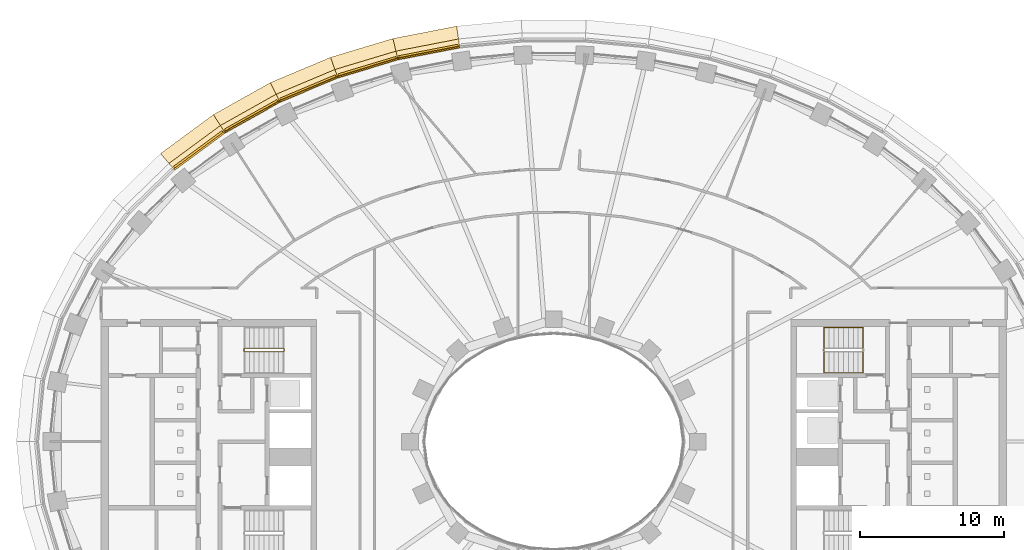
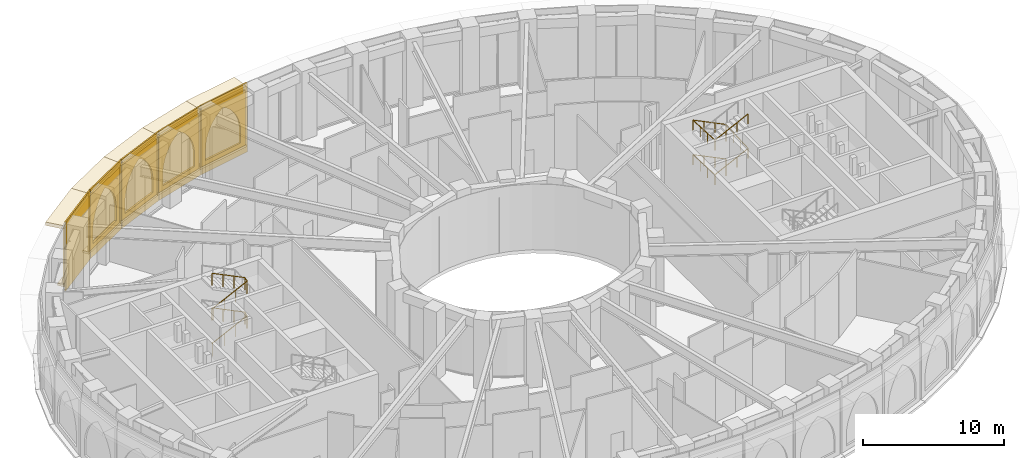
# One storey, part 20 of 23: 20 coverings, 2 railings.
"""IFC4 building model written with IfcOpenShell, lengths in metres."""

from ifc_helpers import new_model, si_unit, direction, frame, origin, origin_2d, place, context, subcontext, project, spatial, polyline, rectangle, outline, extrude, material, layer, layer_set, type_object, element, save


model = new_model("IFC4")

# Units and contexts
model_context = context("Model", 3, precision=1e-05, world=origin(), true_north=direction((0.0, 1.0)))
body_context = subcontext(model_context, "Body", "Model", "MODEL_VIEW")
ifc_project = project(units=[si_unit("LENGTHUNIT", "METRE"), si_unit("AREAUNIT", "SQUARE_METRE"), si_unit("VOLUMEUNIT", "CUBIC_METRE"), si_unit("PLANEANGLEUNIT", "RADIAN"), si_unit("MASSUNIT", "GRAM", prefix="KILO")], contexts=[model_context])

# Site, building, storey
site_placement = place(None, origin())
site = spatial("IfcSite", under=ifc_project, at=site_placement, CompositionType="ELEMENT")
building_placement = place(site_placement, origin())
building = spatial("IfcBuilding", under=site, at=building_placement, Name="Noorbagh Ring Tower", CompositionType="ELEMENT")
storey_placement = place(building_placement, frame((0.0, 0.0, 140.0)))
storey = spatial("IfcBuildingStorey", under=building, at=storey_placement, Name="L32", CompositionType="ELEMENT", Elevation=140.0)

# Railings
ifc_material_1 = material(Name="Stainless steel", Category="steel")
railing_type_1 = type_object("IfcRailingType", Name="CORE-STAIR-GUARD", PredefinedType="GUARDRAIL", material=ifc_material_1)
railing_1_placement = place(storey_placement, frame((-21.580078125, 6.300048828125, 0.0)))
element("IfcRailing", 1, at=railing_1_placement, inside=storey, type_object=railing_type_1, Name="L32 ST1 stair guard", PredefinedType="GUARDRAIL", context=body_context, shape_type="SweptSolid", body=[
    extrude(rectangle(XDim=0.048095703125, YDim=0.048095703125, at=origin_2d()), frame((0.0, 0.0, 1.076171875), z_axis=(0.0, 1.0, 0.0), x_axis=(-1.0, 0.0, 0.0)), (0.0, 0.0, 1.0), 0.14990234375),
    extrude(rectangle(XDim=0.048095703125, YDim=0.048095703125, at=origin_2d()), frame((0.0, 0.14990234375, 1.076171875), z_axis=(0.188775798145, -0.754182335027, 0.628945707965), x_axis=(0.970072785993, 0.242814311512, 0.0)), (0.0, 0.0, 1.0), 0.26513671875),
    extrude(rectangle(XDim=0.048095703125, YDim=0.048095703125, at=origin_2d()), frame((0.050048828125, -0.050048828125, 1.24267578125), z_axis=(0.897929466783, 0.0, 0.4401393787), x_axis=(0.0, 1.0, 0.0)), (0.0, 0.0, 1.0), 3.029052734375),
    extrude(rectangle(XDim=0.048095703125, YDim=0.048095703125, at=origin_2d()), frame((2.77001953125, -0.050048828125, 2.576171875), z_axis=(0.707106781187, 0.707106781187, 0.0), x_axis=(-0.707106781187, 0.707106781187, 0.0)), (0.0, 0.0, 1.0), 0.07080078125),
    extrude(rectangle(XDim=0.048095703125, YDim=0.048095703125, at=origin_2d()), frame((2.820068359375, 0.0, 2.576171875), z_axis=(0.0, 1.0, 0.0), x_axis=(-1.0, 0.0, 0.0)), (0.0, 0.0, 1.0), 0.14990234375),
    extrude(rectangle(XDim=0.048095703125, YDim=0.048095703125, at=origin_2d()), frame((2.820068359375, 0.14990234375, 2.576171875), z_axis=(-0.27628659633, 0.27628659633, 0.920506074601), x_axis=(-0.707106781187, -0.707106781187, 0.0)), (0.0, 0.0, 1.0), 0.18115234375),
    extrude(rectangle(XDim=0.048095703125, YDim=0.048095703125, at=origin_2d()), frame((2.77001953125, 0.199951171875, 2.74267578125), z_axis=(-0.897929466783, 0.0, 0.4401393787), x_axis=(0.0, -1.0, 0.0)), (0.0, 0.0, 1.0), 3.029052734375),
    extrude(rectangle(XDim=0.048095703125, YDim=0.048095703125, at=origin_2d()), frame((0.050048828125, 0.199951171875, 4.076171875), z_axis=(-0.242814311512, -0.970072785993, 0.0), x_axis=(0.970072785993, -0.242814311512, 0.0)), (0.0, 0.0, 1.0), 0.2060546875),
    extrude(rectangle(XDim=0.048095703125, YDim=0.048095703125, at=origin_2d()), frame((0.0, 0.0, 4.076171875), z_axis=(0.0, 1.0, 0.0), x_axis=(-1.0, 0.0, 0.0)), (0.0, 0.0, 1.0), 0.14990234375),
    extrude(rectangle(XDim=0.048095703125, YDim=0.048095703125, at=origin_2d()), frame((0.0, 0.14990234375, 4.076171875), z_axis=(0.188775798145, -0.754182335027, 0.628945707965), x_axis=(0.970072785993, 0.242814311512, 0.0)), (0.0, 0.0, 1.0), 0.26513671875),
    extrude(rectangle(XDim=0.048095703125, YDim=0.048095703125, at=origin_2d()), frame((0.050048828125, -0.050048828125, 4.24267578125), z_axis=(0.897929466783, 0.0, 0.4401393787), x_axis=(0.0, 1.0, 0.0)), (0.0, 0.0, 1.0), 3.029052734375),
    extrude(rectangle(XDim=0.048095703125, YDim=0.048095703125, at=origin_2d()), frame((2.77001953125, -0.050048828125, 5.576171875), z_axis=(0.707106781187, 0.707106781187, 0.0), x_axis=(-0.707106781187, 0.707106781187, 0.0)), (0.0, 0.0, 1.0), 0.07080078125),
    extrude(rectangle(XDim=0.048095703125, YDim=0.048095703125, at=origin_2d()), frame((2.820068359375, 0.0, 5.576171875), z_axis=(0.0, 1.0, 0.0), x_axis=(-1.0, 0.0, 0.0)), (0.0, 0.0, 1.0), 0.14990234375),
    extrude(rectangle(XDim=0.048095703125, YDim=0.048095703125, at=origin_2d()), frame((2.820068359375, 0.14990234375, 5.576171875), z_axis=(-0.27628659633, 0.27628659633, 0.920506074601), x_axis=(-0.707106781187, -0.707106781187, 0.0)), (0.0, 0.0, 1.0), 0.18115234375),
    extrude(rectangle(XDim=0.048095703125, YDim=0.048095703125, at=origin_2d()), frame((2.77001953125, 0.199951171875, 5.74267578125), z_axis=(-0.897929466783, 0.0, 0.4401393787), x_axis=(0.0, -1.0, 0.0)), (0.0, 0.0, 1.0), 3.029052734375),
    extrude(rectangle(XDim=0.0419921875, YDim=0.0419921875, at=origin_2d()), origin(), (0.0, 0.0, 1.0), 1.052001953125),
    extrude(rectangle(XDim=0.0419921875, YDim=0.0419921875, at=origin_2d()), frame((0.956787109375, -0.050048828125, 0.611083984375)), (0.0, 0.0, 1.0), 1.052001953125),
    extrude(rectangle(XDim=0.0419921875, YDim=0.0419921875, at=origin_2d()), frame((1.86328125, -0.050048828125, 1.0556640625)), (0.0, 0.0, 1.0), 1.052001953125),
    extrude(rectangle(XDim=0.0419921875, YDim=0.0419921875, at=origin_2d()), frame((2.77001953125, -0.050048828125, 1.5)), (0.0, 0.0, 1.0), 1.052001953125),
    extrude(rectangle(XDim=0.0419921875, YDim=0.0419921875, at=origin_2d()), frame((2.77001953125, 0.199951171875, 1.666748046875)), (0.0, 0.0, 1.0), 1.052001953125),
    extrude(rectangle(XDim=0.0419921875, YDim=0.0419921875, at=origin_2d()), frame((1.86328125, 0.199951171875, 2.111083984375)), (0.0, 0.0, 1.0), 1.052001953125),
    extrude(rectangle(XDim=0.0419921875, YDim=0.0419921875, at=origin_2d()), frame((0.956787109375, 0.199951171875, 2.5556640625)), (0.0, 0.0, 1.0), 1.052001953125),
    extrude(rectangle(XDim=0.0419921875, YDim=0.0419921875, at=origin_2d()), frame((0.050048828125, 0.199951171875, 3.0)), (0.0, 0.0, 1.0), 1.052001953125),
    extrude(rectangle(XDim=0.0419921875, YDim=0.0419921875, at=origin_2d()), frame((0.050048828125, -0.050048828125, 3.166748046875)), (0.0, 0.0, 1.0), 1.052001953125),
    extrude(rectangle(XDim=0.0419921875, YDim=0.0419921875, at=origin_2d()), frame((0.956787109375, -0.050048828125, 3.611083984375)), (0.0, 0.0, 1.0), 1.052001953125),
    extrude(rectangle(XDim=0.0419921875, YDim=0.0419921875, at=origin_2d()), frame((1.86328125, -0.050048828125, 4.0556640625)), (0.0, 0.0, 1.0), 1.052001953125),
    extrude(rectangle(XDim=0.0419921875, YDim=0.0419921875, at=origin_2d()), frame((2.77001953125, -0.050048828125, 4.5)), (0.0, 0.0, 1.0), 1.052001953125),
    extrude(rectangle(XDim=0.0419921875, YDim=0.0419921875, at=origin_2d()), frame((2.77001953125, 0.199951171875, 4.666748046875)), (0.0, 0.0, 1.0), 1.052001953125),
    extrude(rectangle(XDim=0.0419921875, YDim=0.0419921875, at=origin_2d()), frame((1.86328125, 0.199951171875, 5.111083984375)), (0.0, 0.0, 1.0), 1.052001953125),
    extrude(rectangle(XDim=0.0419921875, YDim=0.0419921875, at=origin_2d()), frame((0.956787109375, 0.199951171875, 5.5556640625)), (0.0, 0.0, 1.0), 1.052001953125),
    extrude(rectangle(XDim=0.0419921875, YDim=0.0419921875, at=origin_2d()), frame((0.050048828125, 0.199951171875, 6.0)), (0.0, 0.0, 1.0), 1.052001953125),
])
ifc_material_2 = material(Name="Stainless steel", Category="steel")
railing_type_2 = type_object("IfcRailingType", Name="CORE-STAIR-HANDRAIL", PredefinedType="HANDRAIL", material=ifc_material_2)
railing_2_placement = place(storey_placement, frame((21.530029296875, 7.949951171875, 0.166748046875)))
element("IfcRailing", 2, at=railing_2_placement, inside=storey, type_object=railing_type_2, Name="L32 ST3 stair handrail", PredefinedType="HANDRAIL", context=body_context, shape_type="SweptSolid", body=[
    extrude(rectangle(XDim=0.048095703125, YDim=0.048095703125, at=origin_2d()), frame((0.0, 0.0, 0.8759765625), z_axis=(-0.897929466783, 0.0, 0.4401393787), x_axis=(0.0, -1.0, 0.0)), (0.0, 0.0, 1.0), 3.029052734375),
    extrude(rectangle(XDim=0.048095703125, YDim=0.048095703125, at=origin_2d()), frame((-2.719970703125, 0.0, 2.208984375), z_axis=(0.0, -0.998601747152, 0.052863509014), x_axis=(1.0, 0.0, 0.0)), (0.0, 0.0, 1.0), 3.154296875),
    extrude(rectangle(XDim=0.048095703125, YDim=0.048095703125, at=origin_2d()), frame((-2.719970703125, -3.14990234375, 2.3759765625), z_axis=(0.897929466783, 0.0, 0.4401393787), x_axis=(0.0, 1.0, 0.0)), (0.0, 0.0, 1.0), 3.029052734375),
    extrude(rectangle(XDim=0.048095703125, YDim=0.048095703125, at=origin_2d()), frame((0.0, -3.14990234375, 3.708984375), z_axis=(0.0, 0.998601747152, 0.052863509014), x_axis=(-1.0, 0.0, 0.0)), (0.0, 0.0, 1.0), 3.154296875),
    extrude(rectangle(XDim=0.048095703125, YDim=0.048095703125, at=origin_2d()), frame((0.0, 0.0, 3.8759765625), z_axis=(-0.897929466783, 0.0, 0.4401393787), x_axis=(0.0, -1.0, 0.0)), (0.0, 0.0, 1.0), 3.029052734375),
    extrude(rectangle(XDim=0.048095703125, YDim=0.048095703125, at=origin_2d()), frame((-2.719970703125, 0.0, 5.208984375), z_axis=(0.0, -0.998601747152, 0.052863509014), x_axis=(1.0, 0.0, 0.0)), (0.0, 0.0, 1.0), 3.154296875),
    extrude(rectangle(XDim=0.048095703125, YDim=0.048095703125, at=origin_2d()), frame((-2.719970703125, -3.14990234375, 5.3759765625), z_axis=(0.897929466783, 0.0, 0.4401393787), x_axis=(0.0, 1.0, 0.0)), (0.0, 0.0, 1.0), 3.029052734375),
    extrude(rectangle(XDim=0.0419921875, YDim=0.0419921875, at=origin_2d()), origin(), (0.0, 0.0, 1.0), 0.851806640625),
    extrude(rectangle(XDim=0.0419921875, YDim=0.0419921875, at=origin_2d()), frame((-0.90673828125, 0.0, 0.4443359375)), (0.0, 0.0, 1.0), 0.851806640625),
    extrude(rectangle(XDim=0.0419921875, YDim=0.0419921875, at=origin_2d()), frame((-1.813232421875, 0.0, 0.888916015625)), (0.0, 0.0, 1.0), 0.851806640625),
    extrude(rectangle(XDim=0.0419921875, YDim=0.0419921875, at=origin_2d()), frame((-2.719970703125, 0.0, 1.333251953125)), (0.0, 0.0, 1.0), 0.851806640625),
    extrude(rectangle(XDim=0.0419921875, YDim=0.0419921875, at=origin_2d()), frame((-2.719970703125, -1.050048828125, 1.388916015625)), (0.0, 0.0, 1.0), 0.851806640625),
    extrude(rectangle(XDim=0.0419921875, YDim=0.0419921875, at=origin_2d()), frame((-2.719970703125, -2.099853515625, 1.4443359375)), (0.0, 0.0, 1.0), 0.851806640625),
    extrude(rectangle(XDim=0.0419921875, YDim=0.0419921875, at=origin_2d()), frame((-2.719970703125, -3.14990234375, 1.5)), (0.0, 0.0, 1.0), 0.851806640625),
    extrude(rectangle(XDim=0.0419921875, YDim=0.0419921875, at=origin_2d()), frame((-1.813232421875, -3.14990234375, 1.9443359375)), (0.0, 0.0, 1.0), 0.851806640625),
    extrude(rectangle(XDim=0.0419921875, YDim=0.0419921875, at=origin_2d()), frame((-0.90673828125, -3.14990234375, 2.388916015625)), (0.0, 0.0, 1.0), 0.851806640625),
    extrude(rectangle(XDim=0.0419921875, YDim=0.0419921875, at=origin_2d()), frame((0.0, -3.14990234375, 2.833251953125)), (0.0, 0.0, 1.0), 0.851806640625),
    extrude(rectangle(XDim=0.0419921875, YDim=0.0419921875, at=origin_2d()), frame((0.0, -2.099853515625, 2.888916015625)), (0.0, 0.0, 1.0), 0.851806640625),
    extrude(rectangle(XDim=0.0419921875, YDim=0.0419921875, at=origin_2d()), frame((0.0, -1.050048828125, 2.9443359375)), (0.0, 0.0, 1.0), 0.851806640625),
    extrude(rectangle(XDim=0.0419921875, YDim=0.0419921875, at=origin_2d()), frame((0.0, 0.0, 3.0)), (0.0, 0.0, 1.0), 0.851806640625),
    extrude(rectangle(XDim=0.0419921875, YDim=0.0419921875, at=origin_2d()), frame((-0.90673828125, 0.0, 3.4443359375)), (0.0, 0.0, 1.0), 0.851806640625),
    extrude(rectangle(XDim=0.0419921875, YDim=0.0419921875, at=origin_2d()), frame((-1.813232421875, 0.0, 3.888916015625)), (0.0, 0.0, 1.0), 0.851806640625),
    extrude(rectangle(XDim=0.0419921875, YDim=0.0419921875, at=origin_2d()), frame((-2.719970703125, 0.0, 4.333251953125)), (0.0, 0.0, 1.0), 0.851806640625),
    extrude(rectangle(XDim=0.0419921875, YDim=0.0419921875, at=origin_2d()), frame((-2.719970703125, -1.050048828125, 4.388916015625)), (0.0, 0.0, 1.0), 0.851806640625),
    extrude(rectangle(XDim=0.0419921875, YDim=0.0419921875, at=origin_2d()), frame((-2.719970703125, -2.099853515625, 4.4443359375)), (0.0, 0.0, 1.0), 0.851806640625),
    extrude(rectangle(XDim=0.0419921875, YDim=0.0419921875, at=origin_2d()), frame((-2.719970703125, -3.14990234375, 4.5)), (0.0, 0.0, 1.0), 0.851806640625),
    extrude(rectangle(XDim=0.0419921875, YDim=0.0419921875, at=origin_2d()), frame((-1.813232421875, -3.14990234375, 4.9443359375)), (0.0, 0.0, 1.0), 0.851806640625),
    extrude(rectangle(XDim=0.0419921875, YDim=0.0419921875, at=origin_2d()), frame((-0.90673828125, -3.14990234375, 5.388916015625)), (0.0, 0.0, 1.0), 0.851806640625),
    extrude(rectangle(XDim=0.0419921875, YDim=0.0419921875, at=origin_2d()), frame((0.0, -3.14990234375, 5.833251953125)), (0.0, 0.0, 1.0), 0.851806640625),
])

# Coverings
ifc_material_3 = material(Name="Aluminium 6063-T6 black anodised", Category="aluminium")
ifc_layer_1 = layer(ifc_material_3, 0.1201171875)
ifc_layer_set_1 = layer_set([ifc_layer_1], Name="Aluminium 6063-T6 black anodised")
covering_type_1 = type_object("IfcCoveringType", Name="ENV-LOUVRE-BAND", PredefinedType="CLADDING", material=ifc_layer_set_1)
covering_1_placement = place(storey_placement, frame((-8.700927734375, 27.053955078125, -0.300048828125), z_axis=(0.0, 0.0, 1.0), x_axis=(-0.981624952922, -0.190820470077, 0.0)))
element("IfcCovering", 3, at=covering_1_placement, inside=storey, type_object=covering_type_1, Name="Louvre screen chord 14", ObjectType="LOUVRE", PredefinedType="CLADDING", context=body_context, shape_type="SweptSolid", body=[
    extrude(rectangle(XDim=4.349853515625, YDim=0.1201171875, at=origin_2d()), origin(), (0.0, 0.0, 1.0), 6.0),
])
covering_2_placement = place(storey_placement, frame((-12.947998046875, 26.0048828125, -0.300048828125), z_axis=(0.0, 0.0, 1.0), x_axis=(-0.957577925467, -0.28817445525, 0.0)))
element("IfcCovering", 4, at=covering_2_placement, inside=storey, type_object=covering_type_1, Name="Louvre screen chord 15", ObjectType="LOUVRE", PredefinedType="CLADDING", context=body_context, shape_type="SweptSolid", body=[
    extrude(rectangle(XDim=4.349609375, YDim=0.1201171875, at=origin_2d()), origin(), (0.0, 0.0, 1.0), 6.0),
])
covering_3_placement = place(storey_placement, frame((-17.0634765625, 24.52490234375, -0.300048828125), z_axis=(0.0, 0.0, 1.0), x_axis=(-0.921811566494, -0.387638279686, 0.0)))
element("IfcCovering", 5, at=covering_3_placement, inside=storey, type_object=covering_type_1, Name="Louvre screen chord 16", ObjectType="LOUVRE", PredefinedType="CLADDING", context=body_context, shape_type="SweptSolid", body=[
    extrude(rectangle(XDim=4.349365234375, YDim=0.1201171875, at=origin_2d()), origin(), (0.0, 0.0, 1.0), 6.0),
])
covering_4_placement = place(storey_placement, frame((-20.990966796875, 22.604736328125, -0.300048828125), z_axis=(0.0, 0.0, 1.0), x_axis=(-0.872044586249, -0.48942643941, 0.0)))
element("IfcCovering", 6, at=covering_4_placement, inside=storey, type_object=covering_type_1, Name="Louvre screen chord 17", ObjectType="LOUVRE", PredefinedType="CLADDING", context=body_context, shape_type="SweptSolid", body=[
    extrude(rectangle(XDim=4.34912109375, YDim=0.1201171875, at=origin_2d()), origin(), (0.0, 0.0, 1.0), 6.0),
])
covering_5_placement = place(storey_placement, frame((-24.662109375, 20.2353515625, -0.300048828125), z_axis=(0.0, 0.0, 1.0), x_axis=(-0.805153045326, -0.593067090304, 0.0)))
element("IfcCovering", 7, at=covering_5_placement, inside=storey, type_object=covering_type_1, Name="Louvre screen chord 18", ObjectType="LOUVRE", PredefinedType="CLADDING", context=body_context, shape_type="SweptSolid", body=[
    extrude(rectangle(XDim=4.3486328125, YDim=0.1201171875, at=origin_2d()), origin(), (0.0, 0.0, 1.0), 6.0),
])
ifc_material_4 = material(Name="Red sandstone cladding", Category="masonry")
ifc_layer_2 = layer(ifc_material_4, 0.14990234375)
ifc_layer_set_2 = layer_set([ifc_layer_2], Name="Red sandstone cladding")
covering_type_2 = type_object("IfcCoveringType", Name="STYLE-BAND-ARCADE", PredefinedType="USERDEFINED", material=ifc_layer_set_2)
covering_6_placement = place(storey_placement, frame((-6.6865234375, 27.659423828125, 0.25), z_axis=(-0.190819708322, 0.981625101001, 0.0), x_axis=(-0.981625101001, -0.190819708322, 0.0)))
element("IfcCovering", 8, at=covering_6_placement, inside=storey, type_object=covering_type_2, Name="Blind arch bay of the band", ObjectType="ARCH", PredefinedType="USERDEFINED", context=body_context, shape_type="SweptSolid", body=[
    extrude(outline(polyline([(0.0, 0.0), (4.186279296875, 0.0), (4.186279296875, 4.800048828125), (0.0, 4.800048828125), (0.0, 0.0)]), holes=[polyline([(0.449951171875, 0.39990234375), (0.449951171875, 1.404052734375), (0.47802734375, 1.8330078125), (0.56201171875, 2.254638671875), (0.7001953125, 2.66162109375), (0.890380859375, 3.047119140625), (1.129150390625, 3.40478515625), (1.41259765625, 3.727783203125), (1.735595703125, 4.01123046875), (2.093017578125, 4.25), (2.450439453125, 4.01123046875), (2.773681640625, 3.727783203125), (3.05712890625, 3.40478515625), (3.2958984375, 3.047119140625), (3.486083984375, 2.66162109375), (3.624267578125, 2.254638671875), (3.7080078125, 1.8330078125), (3.736083984375, 1.404052734375), (3.736083984375, 0.39990234375), (0.449951171875, 0.39990234375)])]), origin(), (0.0, 0.0, -1.0), 0.14990234375),
])
covering_7_placement = place(storey_placement, frame((-11.00439453125, 26.80908203125, 0.25), z_axis=(-0.288182515773, 0.957575499688, 0.0), x_axis=(-0.957575499688, -0.288182515773, 0.0)))
element("IfcCovering", 9, at=covering_7_placement, inside=storey, type_object=covering_type_2, Name="Blind arch bay of the band", ObjectType="ARCH", PredefinedType="USERDEFINED", context=body_context, shape_type="SweptSolid", body=[
    extrude(outline(polyline([(0.0, 0.0), (4.185791015625, 0.0), (4.185791015625, 4.800048828125), (0.0, 4.800048828125), (0.0, 0.0)]), holes=[polyline([(0.449951171875, 0.39990234375), (0.449951171875, 1.404296875), (0.47802734375, 1.833251953125), (0.56201171875, 2.2548828125), (0.7001953125, 2.661865234375), (0.890380859375, 3.04736328125), (1.129150390625, 3.40478515625), (1.41259765625, 3.727783203125), (1.735595703125, 4.01123046875), (2.093017578125, 4.25), (2.450439453125, 4.01123046875), (2.773681640625, 3.727783203125), (3.056884765625, 3.40478515625), (3.2958984375, 3.04736328125), (3.48583984375, 2.661865234375), (3.6240234375, 2.2548828125), (3.7080078125, 1.833251953125), (3.736083984375, 1.404296875), (3.736083984375, 0.39990234375), (0.449951171875, 0.39990234375)])]), origin(), (0.0, 0.0, -1.0), 0.14990234375),
])
covering_8_placement = place(storey_placement, frame((-15.215576171875, 25.52978515625, 0.25), z_axis=(-0.387624121421, 0.92181752017, 0.0), x_axis=(-0.92181752017, -0.387624121421, 0.0)))
element("IfcCovering", 10, at=covering_8_placement, inside=storey, type_object=covering_type_2, Name="Blind arch bay of the band", ObjectType="ARCH", PredefinedType="USERDEFINED", context=body_context, shape_type="SweptSolid", body=[
    extrude(outline(polyline([(0.0, 0.0), (4.185791015625, 0.0), (4.185791015625, 4.800048828125), (0.0, 4.800048828125), (0.0, 0.0)]), holes=[polyline([(0.449951171875, 0.39990234375), (0.449951171875, 1.404541015625), (0.47802734375, 1.83349609375), (0.56201171875, 2.2548828125), (0.7001953125, 2.661865234375), (0.89013671875, 3.04736328125), (1.12890625, 3.40478515625), (1.412353515625, 3.727783203125), (1.735595703125, 4.01123046875), (2.093017578125, 4.25), (2.4501953125, 4.01123046875), (2.7734375, 3.727783203125), (3.056884765625, 3.40478515625), (3.295654296875, 3.04736328125), (3.485595703125, 2.661865234375), (3.623779296875, 2.2548828125), (3.707763671875, 1.83349609375), (3.73583984375, 1.404541015625), (3.73583984375, 0.39990234375), (0.449951171875, 0.39990234375)])]), origin(), (0.0, 0.0, -1.0), 0.14990234375),
])
covering_9_placement = place(storey_placement, frame((-19.268798828125, 23.81201171875, 0.25), z_axis=(-0.489402470802, 0.872058037961, 0.0), x_axis=(-0.872058037961, -0.489402470802, 0.0)))
element("IfcCovering", 11, at=covering_9_placement, inside=storey, type_object=covering_type_2, Name="Blind arch bay of the band", ObjectType="ARCH", PredefinedType="USERDEFINED", context=body_context, shape_type="SweptSolid", body=[
    extrude(outline(polyline([(0.0, 0.0), (4.185302734375, 0.0), (4.185302734375, 4.800048828125), (0.0, 4.800048828125), (0.0, 0.0)]), holes=[polyline([(0.449951171875, 0.39990234375), (0.449951171875, 1.40478515625), (0.47802734375, 1.83349609375), (0.56201171875, 2.255126953125), (0.7001953125, 2.662109375), (0.89013671875, 3.047607421875), (1.12890625, 3.40478515625), (1.412353515625, 3.72802734375), (1.7353515625, 4.01123046875), (2.0927734375, 4.25), (2.4501953125, 4.01123046875), (2.773193359375, 3.72802734375), (3.056396484375, 3.40478515625), (3.29541015625, 3.047607421875), (3.4853515625, 2.662109375), (3.62353515625, 2.255126953125), (3.70751953125, 1.83349609375), (3.735595703125, 1.40478515625), (3.735595703125, 0.39990234375), (0.449951171875, 0.39990234375)])]), origin(), (0.0, 0.0, -1.0), 0.14990234375),
])
covering_10_placement = place(storey_placement, frame((-23.10205078125, 21.645263671875, 0.25), z_axis=(-0.593079629262, 0.805143809114, 0.0), x_axis=(-0.805143809114, -0.593079629262, 0.0)))
element("IfcCovering", 12, at=covering_10_placement, inside=storey, type_object=covering_type_2, Name="Blind arch bay of the band", ObjectType="ARCH", PredefinedType="USERDEFINED", context=body_context, shape_type="SweptSolid", body=[
    extrude(outline(polyline([(0.0, 0.0), (4.184814453125, 0.0), (4.184814453125, 4.800048828125), (0.0, 4.800048828125), (0.0, 0.0)]), holes=[polyline([(0.449951171875, 0.39990234375), (0.449951171875, 1.4052734375), (0.47802734375, 1.833984375), (0.56201171875, 2.25537109375), (0.7001953125, 2.662353515625), (0.89013671875, 3.047607421875), (1.12890625, 3.405029296875), (1.412109375, 3.72802734375), (1.735107421875, 4.011474609375), (2.092529296875, 4.25), (2.44970703125, 4.011474609375), (2.772705078125, 3.72802734375), (3.05615234375, 3.405029296875), (3.294921875, 3.047607421875), (3.48486328125, 2.662353515625), (3.623046875, 2.25537109375), (3.706787109375, 1.833984375), (3.73486328125, 1.4052734375), (3.73486328125, 0.39990234375), (0.449951171875, 0.39990234375)])]), origin(), (0.0, 0.0, -1.0), 0.14990234375),
])
ifc_material_5 = material(Name="Red sandstone eave", Category="masonry")
covering_type_3 = type_object("IfcCoveringType", Name="STYLE-BAND-EAVE", PredefinedType="USERDEFINED", material=ifc_material_5)
covering_11_placement = place(storey_placement, frame((0.0, 0.0, 5.050048828125)))
element("IfcCovering", 13, at=covering_11_placement, inside=storey, type_object=covering_type_3, Name="Chhajja eave", ObjectType="CHHAJJA", PredefinedType="USERDEFINED", context=body_context, shape_type="SweptSolid", body=[
    extrude(outline(polyline([(-6.559814453125, 27.53125), (-10.865234375, 26.6943359375), (-11.201416015625, 28.05517578125), (-6.76025390625, 28.91845703125), (-6.559814453125, 27.53125)])), origin(), (0.0, 0.0, 1.0), 0.300048828125),
])
covering_12_placement = place(storey_placement, frame((0.0, 0.0, 5.050048828125)))
element("IfcCovering", 14, at=covering_12_placement, inside=storey, type_object=covering_type_3, Name="Chhajja eave", ObjectType="CHHAJJA", PredefinedType="USERDEFINED", context=body_context, shape_type="SweptSolid", body=[
    extrude(outline(polyline([(-10.865234375, 26.6943359375), (-15.065185546875, 25.430419921875), (-15.539794921875, 26.74951171875), (-11.201416015625, 28.05517578125), (-10.865234375, 26.6943359375)])), origin(), (0.0, 0.0, 1.0), 0.300048828125),
])
covering_13_placement = place(storey_placement, frame((0.0, 0.0, 5.050048828125)))
element("IfcCovering", 15, at=covering_13_placement, inside=storey, type_object=covering_type_3, Name="Chhajja eave", ObjectType="CHHAJJA", PredefinedType="USERDEFINED", context=body_context, shape_type="SweptSolid", body=[
    extrude(outline(polyline([(-15.065185546875, 25.430419921875), (-19.108154296875, 23.730224609375), (-19.72412109375, 24.989990234375), (-15.539794921875, 26.74951171875), (-15.065185546875, 25.430419921875)])), origin(), (0.0, 0.0, 1.0), 0.300048828125),
])
covering_14_placement = place(storey_placement, frame((0.0, 0.0, 5.050048828125)))
element("IfcCovering", 16, at=covering_14_placement, inside=storey, type_object=covering_type_3, Name="Chhajja eave", ObjectType="CHHAJJA", PredefinedType="USERDEFINED", context=body_context, shape_type="SweptSolid", body=[
    extrude(outline(polyline([(-19.108154296875, 23.730224609375), (-22.9326171875, 21.583740234375), (-23.693115234375, 22.762451171875), (-19.72412109375, 24.989990234375), (-19.108154296875, 23.730224609375)])), origin(), (0.0, 0.0, 1.0), 0.300048828125),
])
covering_15_placement = place(storey_placement, frame((0.0, 0.0, 5.050048828125)))
element("IfcCovering", 17, at=covering_15_placement, inside=storey, type_object=covering_type_3, Name="Chhajja eave", ObjectType="CHHAJJA", PredefinedType="USERDEFINED", context=body_context, shape_type="SweptSolid", body=[
    extrude(outline(polyline([(-22.9326171875, 21.583740234375), (-26.463134765625, 18.9833984375), (-27.3701171875, 20.053955078125), (-23.693115234375, 22.762451171875), (-22.9326171875, 21.583740234375)])), origin(), (0.0, 0.0, 1.0), 0.300048828125),
])
ifc_material_6 = material(Name="Red sandstone eave", Category="masonry")
covering_type_4 = type_object("IfcCoveringType", Name="STYLE-BAND-SILL", PredefinedType="USERDEFINED", material=ifc_material_6)
covering_16_placement = place(storey_placement, frame((0.0, 0.0, 0.050048828125)))
element("IfcCovering", 18, at=covering_16_placement, inside=storey, type_object=covering_type_4, Name="Sill ledge", ObjectType="CHHAJJA", PredefinedType="USERDEFINED", context=body_context, shape_type="SweptSolid", body=[
    extrude(outline(polyline([(-6.559814453125, 27.53125), (-10.865234375, 26.6943359375), (-10.9853515625, 27.180419921875), (-6.63134765625, 28.026611328125), (-6.559814453125, 27.53125)])), origin(), (0.0, 0.0, 1.0), 0.199951171875),
])
covering_17_placement = place(storey_placement, frame((0.0, 0.0, 0.050048828125)))
element("IfcCovering", 19, at=covering_17_placement, inside=storey, type_object=covering_type_4, Name="Sill ledge", ObjectType="CHHAJJA", PredefinedType="USERDEFINED", context=body_context, shape_type="SweptSolid", body=[
    extrude(outline(polyline([(-10.865234375, 26.6943359375), (-15.065185546875, 25.430419921875), (-15.234619140625, 25.901611328125), (-10.9853515625, 27.180419921875), (-10.865234375, 26.6943359375)])), origin(), (0.0, 0.0, 1.0), 0.199951171875),
])
covering_18_placement = place(storey_placement, frame((0.0, 0.0, 0.050048828125)))
element("IfcCovering", 20, at=covering_18_placement, inside=storey, type_object=covering_type_4, Name="Sill ledge", ObjectType="CHHAJJA", PredefinedType="USERDEFINED", context=body_context, shape_type="SweptSolid", body=[
    extrude(outline(polyline([(-15.065185546875, 25.430419921875), (-19.108154296875, 23.730224609375), (-19.328125, 24.18017578125), (-15.234619140625, 25.901611328125), (-15.065185546875, 25.430419921875)])), origin(), (0.0, 0.0, 1.0), 0.199951171875),
])
covering_19_placement = place(storey_placement, frame((0.0, 0.0, 0.050048828125)))
element("IfcCovering", 21, at=covering_19_placement, inside=storey, type_object=covering_type_4, Name="Sill ledge", ObjectType="CHHAJJA", PredefinedType="USERDEFINED", context=body_context, shape_type="SweptSolid", body=[
    extrude(outline(polyline([(-19.108154296875, 23.730224609375), (-22.9326171875, 21.583740234375), (-23.2041015625, 22.004638671875), (-19.328125, 24.18017578125), (-19.108154296875, 23.730224609375)])), origin(), (0.0, 0.0, 1.0), 0.199951171875),
])
covering_20_placement = place(storey_placement, frame((0.0, 0.0, 0.050048828125)))
element("IfcCovering", 22, at=covering_20_placement, inside=storey, type_object=covering_type_4, Name="Sill ledge", ObjectType="CHHAJJA", PredefinedType="USERDEFINED", context=body_context, shape_type="SweptSolid", body=[
    extrude(outline(polyline([(-22.9326171875, 21.583740234375), (-26.463134765625, 18.9833984375), (-26.787109375, 19.365478515625), (-23.2041015625, 22.004638671875), (-22.9326171875, 21.583740234375)])), origin(), (0.0, 0.0, 1.0), 0.199951171875),
])

save(model, "model.ifc")
